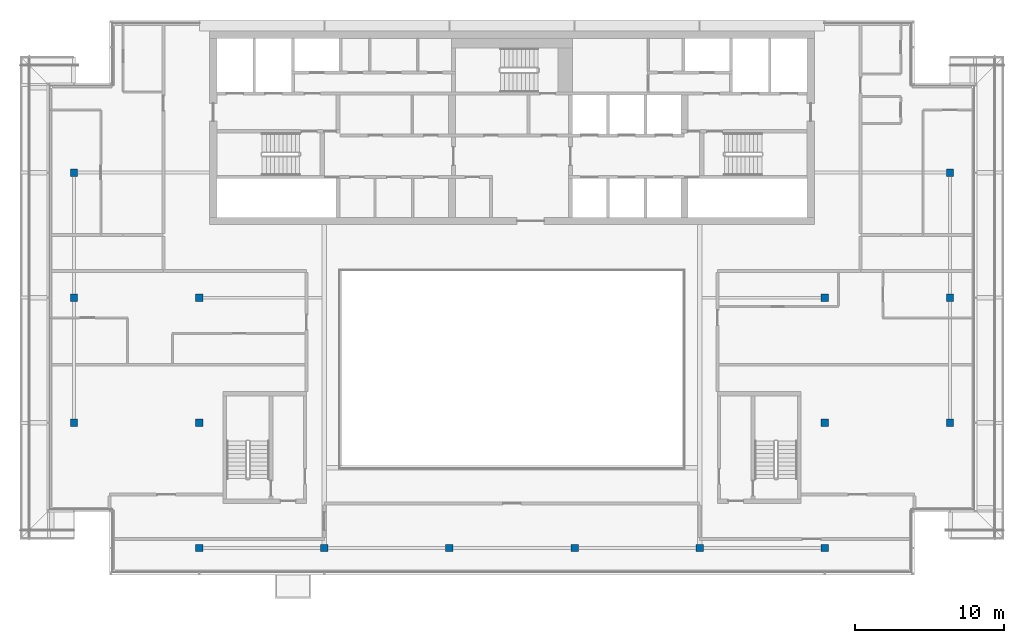
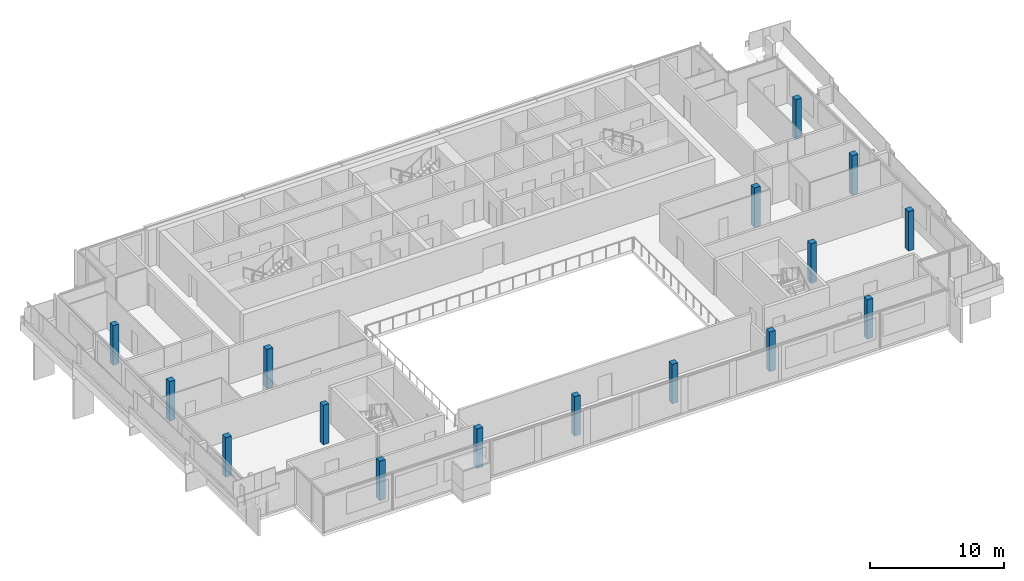
# One storey, part 1 of 19: 16 columns.
"""IFC4 building model written with IfcOpenShell, lengths in metres."""

from ifc_helpers import new_model, si_unit, direction, frame, origin, origin_2d, place, context, subcontext, project, spatial, rectangle, extrude, material, material_profile, profile_set, type_object, element, save


model = new_model("IFC4")

# Units and contexts
model_context = context("Model", 3, precision=1e-05, world=origin(), true_north=direction((0.0, 1.0)))
body_context = subcontext(model_context, "Body", "Model", "MODEL_VIEW")
ifc_project = project(units=[si_unit("LENGTHUNIT", "METRE"), si_unit("AREAUNIT", "SQUARE_METRE"), si_unit("VOLUMEUNIT", "CUBIC_METRE"), si_unit("PLANEANGLEUNIT", "RADIAN"), si_unit("MASSUNIT", "GRAM", prefix="KILO")], contexts=[model_context])

# Site, building, storey
site_placement = place(None, origin())
site = spatial("IfcSite", under=ifc_project, at=site_placement, CompositionType="ELEMENT")
building_placement = place(site_placement, origin())
building = spatial("IfcBuilding", under=site, at=building_placement, Name="Saffron Gate Tower", CompositionType="ELEMENT")
storey_placement = place(building_placement, frame((0.0, 0.0, 292.35009765625)))
storey = spatial("IfcBuildingStorey", under=building, at=storey_placement, Name="L71", CompositionType="ELEMENT", Elevation=292.35009765625)

# Columns
ifc_material = material(Name="Concrete C40", Category="concrete")
ifc_material_profile = material_profile(ifc_material, rectangle(XDim=0.5, YDim=0.5, at=origin_2d()))
ifc_profile_set = profile_set([ifc_material_profile], Name="Concrete C40")
column_type = type_object("IfcColumnType", Name="C1 RC 500x500 CONCRETE C40", PredefinedType="COLUMN", material=ifc_profile_set)
for number, where, z_axis, x_axis, name in (
    (1, (58.199951171875, 48.60009765625, 0.0), (0.0, 0.0, 1.0), (1.0, 0.0, 0.0), "C1 COLUMN X2-C"),
    (2, (58.199951171875, 57.0, 0.0), (0.0, 0.0, 1.0), (1.0, 0.0, 0.0), "C1 COLUMN X2-D"),
    (3, (58.199951171875, 65.39990234375, 0.0), (0.0, 0.0, 1.0), (1.0, 0.0, 0.0), "C1 COLUMN X2-E"),
    (4, (66.60009765625, 40.199951171875, 0.0), (0.0, 0.0, 1.0), (1.0, 0.0, 0.0), "C1 COLUMN X3-B"),
    (5, (66.60009765625, 48.60009765625, 0.0), (0.0, 0.0, 1.0), (1.0, 0.0, 0.0), "C1 COLUMN X3-C"),
    (6, (66.60009765625, 57.0, 0.0), (0.0, 0.0, 1.0), (1.0, 0.0, 0.0), "C1 COLUMN X3-D"),
    (7, (75.0, 40.199951171875, 0.0), (0.0, 0.0, 1.0), (1.0, 0.0, 0.0), "C1 COLUMN X4-B"),
    (8, (83.39990234375, 40.199951171875, 0.0), (0.0, 0.0, 1.0), (1.0, 0.0, 0.0), "C1 COLUMN X5-B"),
    (9, (91.800048828125, 40.199951171875, 0.0), (0.0, 0.0, 1.0), (1.0, 0.0, 0.0), "C1 COLUMN X6-B"),
    (10, (100.199951171875, 40.199951171875, 0.0), (0.0, 0.0, 1.0), (1.0, 0.0, 0.0), "C1 COLUMN X7-B"),
    (11, (108.60009765625, 40.199951171875, 0.0), (0.0, 0.0, 1.0), (1.0, 0.0, 0.0), "C1 COLUMN X8-B"),
    (12, (108.60009765625, 48.60009765625, 0.0), (0.0, 0.0, 1.0), (1.0, 0.0, 0.0), "C1 COLUMN X8-C"),
    (13, (108.60009765625, 57.0, 0.0), (0.0, 0.0, 1.0), (1.0, 0.0, 0.0), "C1 COLUMN X8-D"),
    (14, (117.0, 48.60009765625, 0.0), (0.0, 0.0, 1.0), (1.0, 0.0, 0.0), "C1 COLUMN X9-C"),
    (15, (117.0, 57.0, 0.0), (0.0, 0.0, 1.0), (1.0, 0.0, 0.0), "C1 COLUMN X9-D"),
    (16, (117.0, 65.39990234375, 0.0), (0.0, 0.0, 1.0), (1.0, 0.0, 0.0), "C1 COLUMN X9-E"),
):
    element("IfcColumn", number, at=place(storey_placement, frame(where, z_axis=z_axis, x_axis=x_axis)), inside=storey, type_object=column_type, Name=name, PredefinedType="COLUMN", context=body_context, shape_type="SweptSolid", body=[
        extrude(rectangle(XDim=0.5, YDim=0.5, at=origin_2d()), origin(), (0.0, 0.0, 1.0), 3.599853515625),
    ])

save(model, "model.ifc")
